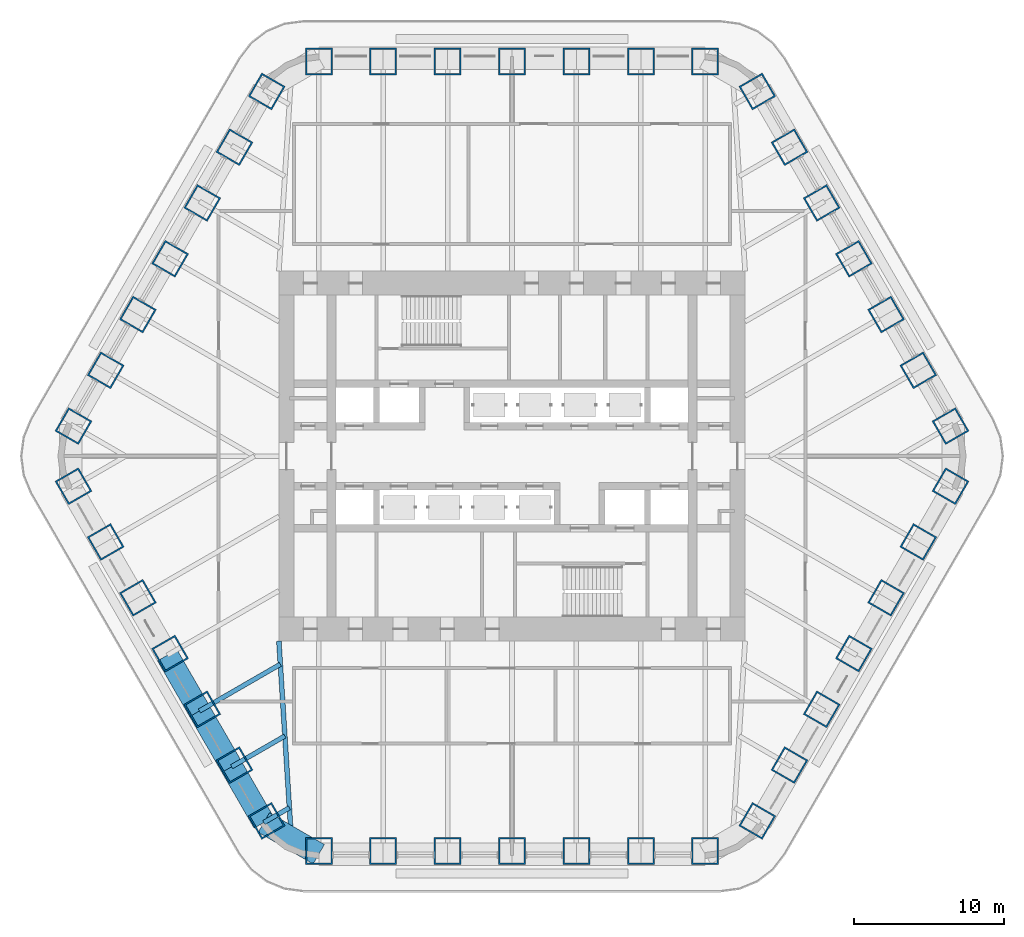
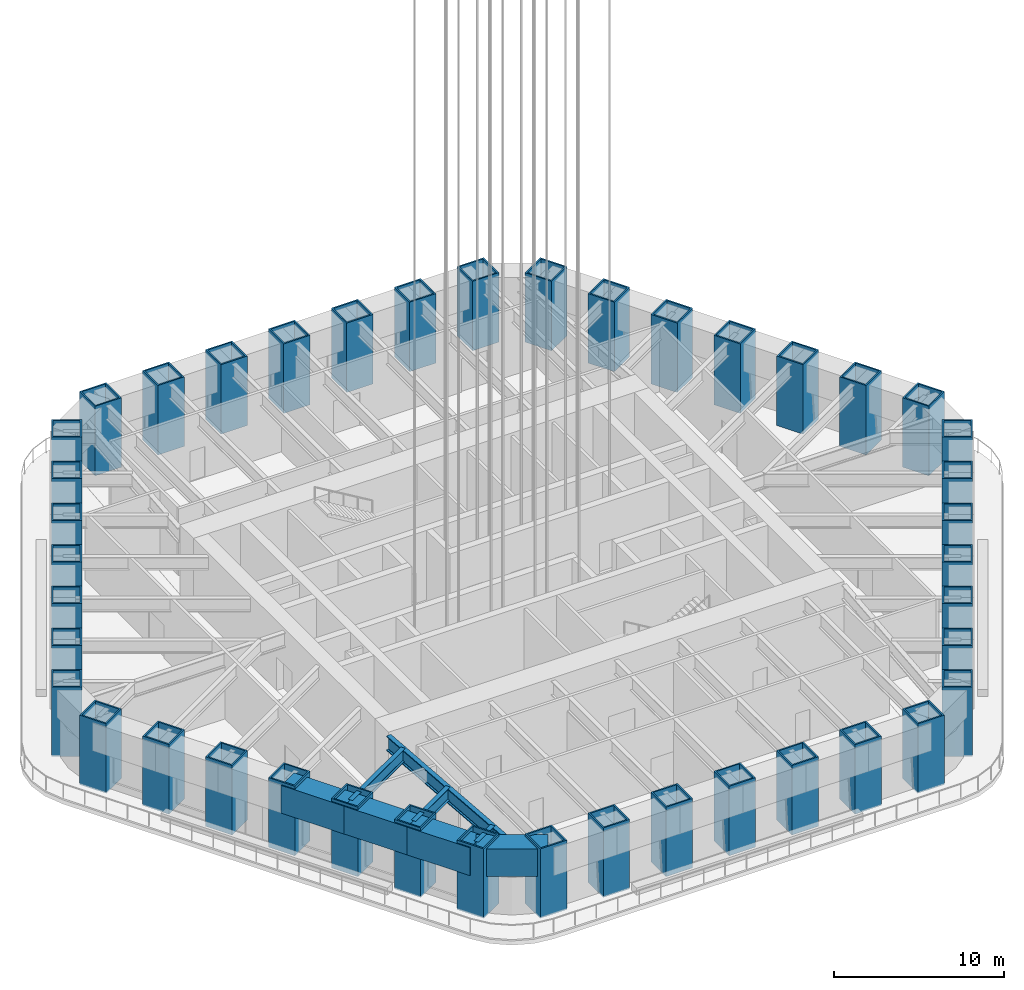
# One storey, part 1 of 14: 42 columns, 8 beams.
"""IFC4 building model written with IfcOpenShell, lengths in metres."""

from ifc_helpers import new_model, si_unit, direction, frame, origin, origin_2d, place, context, subcontext, project, spatial, rectangle, hollow_rectangle, i_section, extrude, material, material_profile, profile_set, type_object, element, save


model = new_model("IFC4")

# Units and contexts
model_context = context("Model", 3, precision=1e-05, world=origin(), true_north=direction((0.0, 1.0)))
body_context = subcontext(model_context, "Body", "Model", "MODEL_VIEW")
ifc_project = project(units=[si_unit("LENGTHUNIT", "METRE"), si_unit("AREAUNIT", "SQUARE_METRE"), si_unit("VOLUMEUNIT", "CUBIC_METRE"), si_unit("PLANEANGLEUNIT", "RADIAN"), si_unit("MASSUNIT", "GRAM", prefix="KILO")], contexts=[model_context])

# Site, building, storey
site_placement = place(None, origin())
site = spatial("IfcSite", under=ifc_project, at=site_placement, CompositionType="ELEMENT")
building_placement = place(site_placement, origin())
building = spatial("IfcBuilding", under=site, at=building_placement, Name="Tarfa Lantern Tower", CompositionType="ELEMENT")
storey_placement = place(building_placement, frame((0.0, 0.0, 306.5)))
storey = spatial("IfcBuildingStorey", under=building, at=storey_placement, Name="L69", CompositionType="ELEMENT", Elevation=306.5)

# Columns
ifc_material_1 = material(Name="Steel S460M", Category="steel")
ifc_material_profile_1 = material_profile(ifc_material_1, hollow_rectangle(XDim=1.800048828125, YDim=1.800048828125, WallThickness=0.10009765625, at=origin_2d()), Name="BOX1800x1800x100")
ifc_profile_set_1 = profile_set([ifc_material_profile_1], Name="Steel S460M")
column_type = type_object("IfcColumnType", Name="TU3 BOX1800x1800x100", PredefinedType="COLUMN", material=ifc_profile_set_1)
for number, where, z_axis, x_axis, name in (
    (1, (29.15625, 2.0, 0.0), (0.0, 0.0, 1.0), (-0.5, 0.866025403784, 0.0), "Tube column NE0"),
    (2, (27.01513671875, 5.708251953125, 0.0), (0.0, 0.0, 1.0), (-0.5, 0.866025403784, 0.0), "Tube column NE1"),
    (3, (24.874267578125, 9.416748046875, 0.0), (0.0, 0.0, 1.0), (-0.5, 0.866025403784, 0.0), "Tube column NE2"),
    (4, (22.733154296875, 13.125, 0.0), (0.0, 0.0, 1.0), (-0.5, 0.866025403784, 0.0), "Tube column NE3"),
    (5, (20.592041015625, 16.833251953125, 0.0), (0.0, 0.0, 1.0), (-0.5, 0.866025403784, 0.0), "Tube column NE4"),
    (6, (18.451171875, 20.541748046875, 0.0), (0.0, 0.0, 1.0), (-0.5, 0.866025403784, 0.0), "Tube column NE5"),
    (7, (16.31005859375, 24.25, 0.0), (0.0, 0.0, 1.0), (-0.5, 0.866025403784, 0.0), "Tube column NE6"),
    (8, (12.845947265625, 26.25, 0.0), (0.0, 0.0, 1.0), (-1.0, 0.0, 0.0), "Tube column N0"),
    (9, (8.56396484375, 26.25, 0.0), (0.0, 0.0, 1.0), (-1.0, 0.0, 0.0), "Tube column N1"),
    (10, (4.281982421875, 26.25, 0.0), (0.0, 0.0, 1.0), (-1.0, 0.0, 0.0), "Tube column N2"),
    (11, (0.0, 26.25, 0.0), (0.0, 0.0, 1.0), (-1.0, 0.0, 0.0), "Tube column N3"),
    (12, (-4.281982421875, 26.25, 0.0), (0.0, 0.0, 1.0), (-1.0, 0.0, 0.0), "Tube column N4"),
    (13, (-8.56396484375, 26.25, 0.0), (0.0, 0.0, 1.0), (-1.0, 0.0, 0.0), "Tube column N5"),
    (14, (-12.845947265625, 26.25, 0.0), (0.0, 0.0, 1.0), (-1.0, 0.0, 0.0), "Tube column N6"),
    (15, (-16.31005859375, 24.25, 0.0), (0.0, 0.0, 1.0), (-0.5, -0.866025403784, 0.0), "Tube column NW0"),
    (16, (-18.451171875, 20.541748046875, 0.0), (0.0, 0.0, 1.0), (-0.5, -0.866025403784, 0.0), "Tube column NW1"),
    (17, (-20.592041015625, 16.833251953125, 0.0), (0.0, 0.0, 1.0), (-0.5, -0.866025403784, 0.0), "Tube column NW2"),
    (18, (-22.733154296875, 13.125, 0.0), (0.0, 0.0, 1.0), (-0.5, -0.866025403784, 0.0), "Tube column NW3"),
    (19, (-24.874267578125, 9.416748046875, 0.0), (0.0, 0.0, 1.0), (-0.5, -0.866025403784, 0.0), "Tube column NW4"),
    (20, (-27.01513671875, 5.708251953125, 0.0), (0.0, 0.0, 1.0), (-0.5, -0.866025403784, 0.0), "Tube column NW5"),
    (21, (-29.15625, 2.0, 0.0), (0.0, 0.0, 1.0), (-0.5, -0.866025403784, 0.0), "Tube column NW6"),
    (22, (-29.15625, -2.0, 0.0), (0.0, 0.0, 1.0), (0.5, -0.866025403784, 0.0), "Tube column SW0"),
    (23, (-27.01513671875, -5.708251953125, 0.0), (0.0, 0.0, 1.0), (0.5, -0.866025403784, 0.0), "Tube column SW1"),
    (24, (-24.874267578125, -9.416748046875, 0.0), (0.0, 0.0, 1.0), (0.5, -0.866025403784, 0.0), "Tube column SW2"),
    (25, (-22.733154296875, -13.125, 0.0), (0.0, 0.0, 1.0), (0.5, -0.866025403784, 0.0), "Tube column SW3"),
    (26, (-20.592041015625, -16.833251953125, 0.0), (0.0, 0.0, 1.0), (0.5, -0.866025403784, 0.0), "Tube column SW4"),
    (27, (-18.451171875, -20.541748046875, 0.0), (0.0, 0.0, 1.0), (0.5, -0.866025403784, 0.0), "Tube column SW5"),
    (28, (-16.31005859375, -24.25, 0.0), (0.0, 0.0, 1.0), (0.5, -0.866025403784, 0.0), "Tube column SW6"),
    (29, (-12.845947265625, -26.25, 0.0), (0.0, 0.0, 1.0), (1.0, 0.0, 0.0), "Tube column S0"),
    (30, (-8.56396484375, -26.25, 0.0), (0.0, 0.0, 1.0), (1.0, 0.0, 0.0), "Tube column S1"),
    (31, (-4.281982421875, -26.25, 0.0), (0.0, 0.0, 1.0), (1.0, 0.0, 0.0), "Tube column S2"),
    (32, (0.0, -26.25, 0.0), (0.0, 0.0, 1.0), (1.0, 0.0, 0.0), "Tube column S3"),
    (33, (4.281982421875, -26.25, 0.0), (0.0, 0.0, 1.0), (1.0, 0.0, 0.0), "Tube column S4"),
    (34, (8.56396484375, -26.25, 0.0), (0.0, 0.0, 1.0), (1.0, 0.0, 0.0), "Tube column S5"),
    (35, (12.845947265625, -26.25, 0.0), (0.0, 0.0, 1.0), (1.0, 0.0, 0.0), "Tube column S6"),
    (36, (16.31005859375, -24.25, 0.0), (0.0, 0.0, 1.0), (0.5, 0.866025403784, 0.0), "Tube column SE0"),
    (37, (18.451171875, -20.541748046875, 0.0), (0.0, 0.0, 1.0), (0.5, 0.866025403784, 0.0), "Tube column SE1"),
    (38, (20.592041015625, -16.833251953125, 0.0), (0.0, 0.0, 1.0), (0.5, 0.866025403784, 0.0), "Tube column SE2"),
    (39, (22.733154296875, -13.125, 0.0), (0.0, 0.0, 1.0), (0.5, 0.866025403784, 0.0), "Tube column SE3"),
    (40, (24.874267578125, -9.416748046875, 0.0), (0.0, 0.0, 1.0), (0.5, 0.866025403784, 0.0), "Tube column SE4"),
    (41, (27.01513671875, -5.708251953125, 0.0), (0.0, 0.0, 1.0), (0.5, 0.866025403784, 0.0), "Tube column SE5"),
    (42, (29.15625, -2.0, 0.0), (0.0, 0.0, 1.0), (0.5, 0.866025403784, 0.0), "Tube column SE6"),
):
    element("IfcColumn", number, at=place(storey_placement, frame(where, z_axis=z_axis, x_axis=x_axis)), inside=storey, type_object=column_type, Name=name, PredefinedType="COLUMN", context=body_context, shape_type="SweptSolid", body=[
        extrude(hollow_rectangle(XDim=1.800048828125, YDim=1.800048828125, WallThickness=0.10009765625, at=origin_2d()), origin(), (0.0, 0.0, 1.0), 5.0),
    ])

# Beams
ifc_material_2 = material(Name="Concrete C80/95", Category="concrete")
ifc_material_profile_2 = material_profile(ifc_material_2, rectangle(XDim=1.5, YDim=2.0, at=origin_2d()), Name="RC 1500x2000")
ifc_profile_set_2 = profile_set([ifc_material_profile_2], Name="Concrete C80/95")
beam_type_1 = type_object("IfcBeamType", Name="RB3 RC 1500x2000", PredefinedType="BEAM", material=ifc_profile_set_2)
for number, where, z_axis, x_axis, name in (
    (43, (-22.923583984375, -13.235107421875, 3.800048828125), (0.499984039138, -0.866034618596, 0.0), (0.866034618596, 0.499984039138, 0.0), "Edge beam SW3"),
    (44, (-20.78271484375, -16.943359375, 3.800048828125), (0.500026801138, -0.866009929587, 0.0), (0.866009929587, 0.500026801138, 0.0), "Edge beam SW4"),
    (45, (-18.6416015625, -20.651611328125, 3.800048828125), (0.499959351497, -0.866048870937, 0.0), (0.866048870937, 0.499959351497, 0.0), "Edge beam SW5"),
):
    element("IfcBeam", number, at=place(storey_placement, frame(where, z_axis=z_axis, x_axis=x_axis)), inside=storey, type_object=beam_type_1, Name=name, PredefinedType="BEAM", context=body_context, shape_type="SweptSolid", body=[
        extrude(rectangle(XDim=1.5, YDim=2.0, at=origin_2d()), origin(), (0.0, 0.0, 1.0), 4.281982421875),
    ])
beam_1_placement = place(storey_placement, frame((-16.500732421875, -24.360107421875, 3.800048828125), z_axis=(0.866048788483, -0.499959494327, 0.0), x_axis=(0.499959494327, 0.866048788483, 0.0)))
element("IfcBeam", 46, at=beam_1_placement, inside=storey, type_object=beam_type_1, Name="Edge beam SW6", PredefinedType="BEAM", context=body_context, shape_type="SweptSolid", body=[
    extrude(rectangle(XDim=1.5, YDim=2.0, at=origin_2d()), origin(), (0.0, 0.0, 1.0), 4.219970703125),
])
ifc_material_profile_3 = material_profile(ifc_material_1, i_section(OverallWidth=0.314208984375, OverallDepth=1.055908203125, WebThickness=0.035888671875, FlangeThickness=0.06396484375, FilletRadius=0.030029296875, at=origin_2d()), Name="UB1016x305x584")
ifc_profile_set_3 = profile_set([ifc_material_profile_3], Name="Steel S460M")
beam_type_2 = type_object("IfcBeamType", Name="UB1016x305x584", PredefinedType="BEAM", material=ifc_profile_set_3)
beam_2_placement = place(storey_placement, frame((-15.5, -12.300048828125, 4.27197265625), z_axis=(0.062906861542, -0.998019402001, 0.0), x_axis=(0.998019402001, 0.062906861542, 0.0)))
element("IfcBeam", 47, at=beam_2_placement, inside=storey, type_object=beam_type_2, Name="Hip girder SW", PredefinedType="BEAM", context=body_context, shape_type="SweptSolid", body=[
    extrude(i_section(OverallWidth=0.314208984375, OverallDepth=1.055908203125, WebThickness=0.035888671875, FlangeThickness=0.06396484375, FilletRadius=0.030029296875, at=origin_2d()), origin(), (0.0, 0.0, 1.0), 13.14111328125),
])
ifc_material_profile_4 = material_profile(ifc_material_1, i_section(OverallWidth=0.305419921875, OverallDepth=0.91845703125, WebThickness=0.017333984375, FlangeThickness=0.02783203125, FilletRadius=0.01904296875, at=origin_2d()), Name="UB914x305x253")
ifc_profile_set_4 = profile_set([ifc_material_profile_4], Name="Steel S460M")
beam_type_3 = type_object("IfcBeamType", Name="UB914x305x253", PredefinedType="BEAM", material=ifc_profile_set_4)
beam_3_placement = place(storey_placement, frame((-20.78271484375, -16.943359375, 4.3408203125), z_axis=(0.866023926275, 0.500002559113, 0.0), x_axis=(-0.500002559113, 0.866023926275, 0.0)))
element("IfcBeam", 48, at=beam_3_placement, inside=storey, type_object=beam_type_3, Name="Floor beam SW4", PredefinedType="BEAM", context=body_context, shape_type="SweptSolid", body=[
    extrude(i_section(OverallWidth=0.305419921875, OverallDepth=0.91845703125, WebThickness=0.017333984375, FlangeThickness=0.02783203125, FilletRadius=0.01904296875, at=origin_2d()), origin(), (0.0, 0.0, 1.0), 6.2119140625),
])
beam_4_placement = place(storey_placement, frame((-18.6416015625, -20.651611328125, 4.3408203125), z_axis=(0.866021442243, 0.500006861528, 0.0), x_axis=(-0.500006861528, 0.866021442243, 0.0)))
element("IfcBeam", 49, at=beam_4_placement, inside=storey, type_object=beam_type_3, Name="Floor beam SW5", PredefinedType="BEAM", context=body_context, shape_type="SweptSolid", body=[
    extrude(i_section(OverallWidth=0.305419921875, OverallDepth=0.91845703125, WebThickness=0.017333984375, FlangeThickness=0.02783203125, FilletRadius=0.01904296875, at=origin_2d()), origin(), (0.0, 0.0, 1.0), 4.0869140625),
])
beam_5_placement = place(storey_placement, frame((-16.500732421875, -24.360107421875, 4.3408203125), z_axis=(0.866013576751, 0.500020484464, 0.0), x_axis=(-0.500020484464, 0.866013576751, 0.0)))
element("IfcBeam", 50, at=beam_5_placement, inside=storey, type_object=beam_type_3, Name="Floor beam SW6", PredefinedType="BEAM", context=body_context, shape_type="SweptSolid", body=[
    extrude(i_section(OverallWidth=0.305419921875, OverallDepth=0.91845703125, WebThickness=0.017333984375, FlangeThickness=0.02783203125, FilletRadius=0.01904296875, at=origin_2d()), origin(), (0.0, 0.0, 1.0), 1.9619140625),
])

save(model, "model.ifc")
